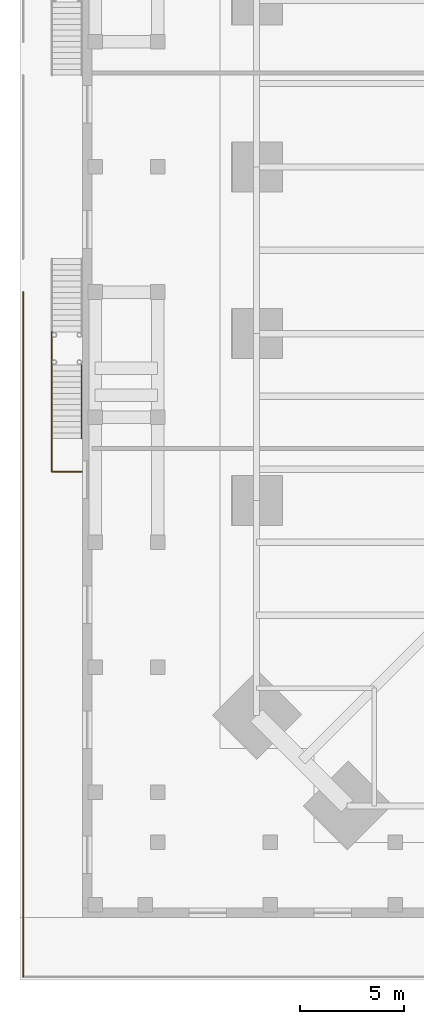
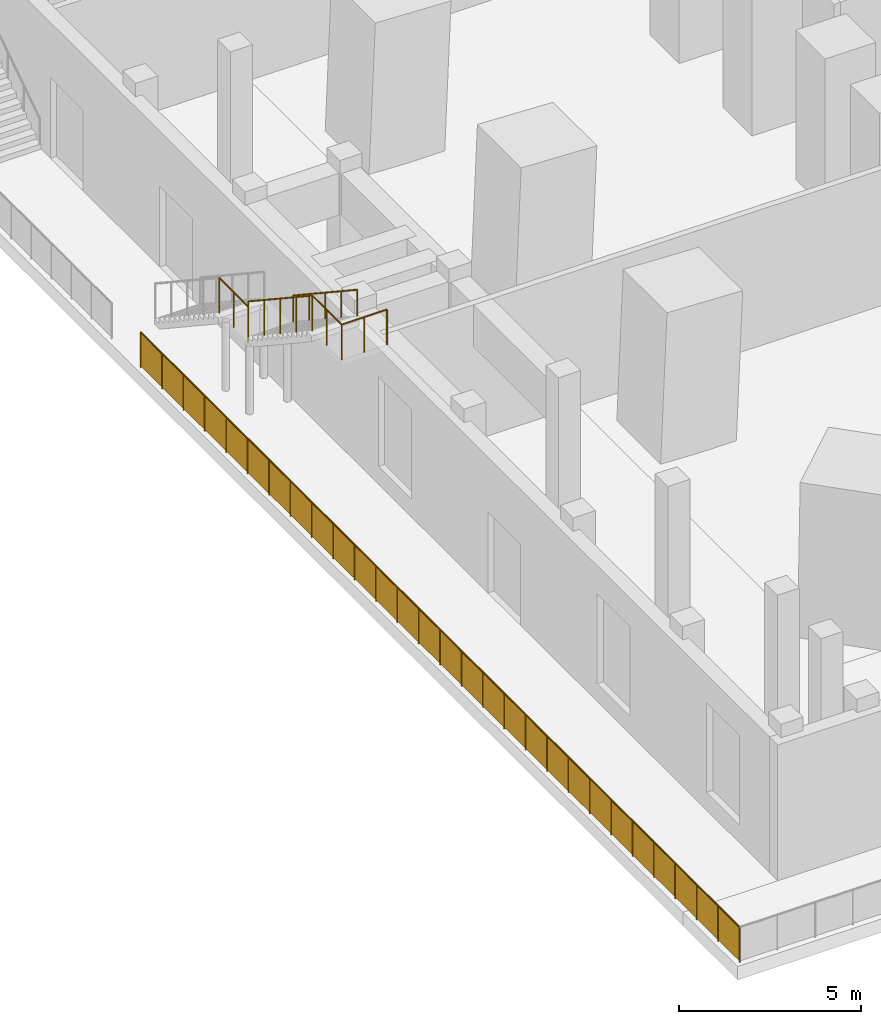
# One storey, part 17 of 22: 5 railings.
"""IFC4 building model written with IfcOpenShell, lengths in metres."""

from ifc_helpers import new_model, si_unit, direction, frame, origin, origin_2d, place, context, subcontext, project, spatial, rectangle, circle, extrude, material, type_object, element, save


model = new_model("IFC4")

# Units and contexts
model_context = context("Model", 3, precision=1e-05, world=origin(), true_north=direction((0.0, 1.0)))
body_context = subcontext(model_context, "Body", "Model", "MODEL_VIEW")
ifc_project = project(units=[si_unit("LENGTHUNIT", "METRE"), si_unit("AREAUNIT", "SQUARE_METRE"), si_unit("VOLUMEUNIT", "CUBIC_METRE"), si_unit("PLANEANGLEUNIT", "RADIAN"), si_unit("MASSUNIT", "GRAM", prefix="KILO")], contexts=[model_context])

# Site, building, storey
site_placement = place(None, origin())
site = spatial("IfcSite", under=ifc_project, at=site_placement, CompositionType="ELEMENT")
building_placement = place(site_placement, origin())
building = spatial("IfcBuilding", under=site, at=building_placement, Name="Peilmerk Tower", CompositionType="ELEMENT")
storey_placement = place(building_placement, frame((0.0, 0.0, 6.0)))
storey = spatial("IfcBuildingStorey", under=building, at=storey_placement, Name="L01", CompositionType="ELEMENT", Elevation=6.0)

# Railings
ifc_material_1 = material(Name="Steel flat bar balustrade", Category="steel")
railing_type_1 = type_object("IfcRailingType", Name="GR1 1200 stair guard", PredefinedType="GUARDRAIL", material=ifc_material_1)
railing_1_placement = place(storey_placement, frame((-40.469970703125, -9.510009765625, 2.678466796875)))
element("IfcRailing", 1, at=railing_1_placement, inside=storey, type_object=railing_type_1, Name="Guard external stair 6 L01", PredefinedType="GUARDRAIL", context=body_context, shape_type="SweptSolid", body=[
    extrude(circle(Radius=0.02392578125, at=origin_2d()), frame((0.0, 0.0, 1.17578125), z_axis=(0.0, -0.834070780157, 0.551657442339), x_axis=(1.0, 0.0, 0.0)), (0.0, 0.0, 1.0), 4.208251953125),
    extrude(circle(Radius=0.02099609375, at=origin_2d()), origin(), (0.0, 0.0, 1.0), 1.15185546875),
    extrude(circle(Radius=0.02099609375, at=origin_2d()), frame((0.0, -0.87744140625, 0.580322265625)), (0.0, 0.0, 1.0), 1.15185546875),
    extrude(circle(Radius=0.02099609375, at=origin_2d()), frame((0.0, -1.7548828125, 1.16064453125)), (0.0, 0.0, 1.0), 1.15185546875),
    extrude(circle(Radius=0.02099609375, at=origin_2d()), frame((0.0, -2.632568359375, 1.7412109375)), (0.0, 0.0, 1.0), 1.15185546875),
    extrude(circle(Radius=0.02099609375, at=origin_2d()), frame((0.0, -3.510009765625, 2.321533203125)), (0.0, 0.0, 1.0), 1.15185546875),
])
railing_2_placement = place(storey_placement, frame((-40.469970703125, -9.510009765625, 2.5)))
element("IfcRailing", 2, at=railing_2_placement, inside=storey, type_object=railing_type_1, Name="Guard external stair 6 L01", PredefinedType="GUARDRAIL", context=body_context, shape_type="SweptSolid", body=[
    extrude(circle(Radius=0.02392578125, at=origin_2d()), frame((0.0, 0.0, 1.17578125), z_axis=(0.0, 1.0, 0.0), x_axis=(-1.0, 0.0, 0.0)), (0.0, 0.0, 1.0), 1.60009765625),
    extrude(circle(Radius=0.02099609375, at=origin_2d()), origin(), (0.0, 0.0, 1.0), 1.15185546875),
    extrude(circle(Radius=0.02099609375, at=origin_2d()), frame((0.0, 0.800048828125, 0.0)), (0.0, 0.0, 1.0), 1.15185546875),
    extrude(circle(Radius=0.02099609375, at=origin_2d()), frame((0.0, 1.60009765625, 0.0)), (0.0, 0.0, 1.0), 1.15185546875),
])
railing_3_placement = place(storey_placement, frame((-40.469970703125, -13.02001953125, 5.0)))
element("IfcRailing", 3, at=railing_3_placement, inside=storey, type_object=railing_type_1, Name="Guard external stair 6 L01", PredefinedType="GUARDRAIL", context=body_context, shape_type="SweptSolid", body=[
    extrude(circle(Radius=0.02392578125, at=origin_2d()), frame((0.0, 0.0, 1.17578125), z_axis=(0.0, -1.0, 0.0), x_axis=(1.0, 0.0, 0.0)), (0.0, 0.0, 1.0), 1.60009765625),
    extrude(circle(Radius=0.02392578125, at=origin_2d()), frame((0.0, -1.60009765625, 1.17578125), z_axis=(1.0, 0.0, 0.0), x_axis=(0.0, 1.0, 0.0)), (0.0, 0.0, 1.0), 1.43994140625),
    extrude(circle(Radius=0.02099609375, at=origin_2d()), origin(), (0.0, 0.0, 1.0), 1.15185546875),
    extrude(circle(Radius=0.02099609375, at=origin_2d()), frame((0.0, -0.800048828125, 0.0)), (0.0, 0.0, 1.0), 1.15185546875),
    extrude(circle(Radius=0.02099609375, at=origin_2d()), frame((0.0, -1.60009765625, 0.0)), (0.0, 0.0, 1.0), 1.15185546875),
    extrude(circle(Radius=0.02099609375, at=origin_2d()), frame((0.719970703125, -1.60009765625, 0.0)), (0.0, 0.0, 1.0), 1.15185546875),
    extrude(circle(Radius=0.02099609375, at=origin_2d()), frame((1.43994140625, -1.60009765625, 0.0)), (0.0, 0.0, 1.0), 1.15185546875),
])
ifc_material_2 = material(Name="Galvanised steel posts and top rail, laminated glass infill 16", Category="steel")
railing_type_2 = type_object("IfcRailingType", Name="GR2 1200 terrace balustrade", PredefinedType="BALUSTRADE", material=ifc_material_2)
railing_4_placement = place(storey_placement, frame((-41.85009765625, -38.85009765625, 0.0)))
element("IfcRailing", 4, at=railing_4_placement, inside=storey, type_object=railing_type_2, Name="Terrace balustrade L01", PredefinedType="BALUSTRADE", context=body_context, shape_type="SweptSolid", body=[
    extrude(circle(Radius=0.02392578125, at=origin_2d()), frame((0.0, 0.0, 1.17578125), z_axis=(0.0, 1.0, 0.0), x_axis=(-1.0, 0.0, 0.0)), (0.0, 0.0, 1.0), 32.85009765625),
    extrude(circle(Radius=0.02099609375, at=origin_2d()), origin(), (0.0, 0.0, 1.0), 1.15185546875),
    extrude(circle(Radius=0.02099609375, at=origin_2d()), frame((0.0, 1.17333984375, 0.0)), (0.0, 0.0, 1.0), 1.15185546875),
    extrude(circle(Radius=0.02099609375, at=origin_2d()), frame((0.0, 2.346435546875, 0.0)), (0.0, 0.0, 1.0), 1.15185546875),
    extrude(circle(Radius=0.02099609375, at=origin_2d()), frame((0.0, 3.51953125, 0.0)), (0.0, 0.0, 1.0), 1.15185546875),
    extrude(circle(Radius=0.02099609375, at=origin_2d()), frame((0.0, 4.69287109375, 0.0)), (0.0, 0.0, 1.0), 1.15185546875),
    extrude(circle(Radius=0.02099609375, at=origin_2d()), frame((0.0, 5.8662109375, 0.0)), (0.0, 0.0, 1.0), 1.15185546875),
    extrude(circle(Radius=0.02099609375, at=origin_2d()), frame((0.0, 7.039306640625, 0.0)), (0.0, 0.0, 1.0), 1.15185546875),
    extrude(circle(Radius=0.02099609375, at=origin_2d()), frame((0.0, 8.21240234375, 0.0)), (0.0, 0.0, 1.0), 1.15185546875),
    extrude(circle(Radius=0.02099609375, at=origin_2d()), frame((0.0, 9.3857421875, 0.0)), (0.0, 0.0, 1.0), 1.15185546875),
    extrude(circle(Radius=0.02099609375, at=origin_2d()), frame((0.0, 10.55908203125, 0.0)), (0.0, 0.0, 1.0), 1.15185546875),
    extrude(circle(Radius=0.02099609375, at=origin_2d()), frame((0.0, 11.732177734375, 0.0)), (0.0, 0.0, 1.0), 1.15185546875),
    extrude(circle(Radius=0.02099609375, at=origin_2d()), frame((0.0, 12.9052734375, 0.0)), (0.0, 0.0, 1.0), 1.15185546875),
    extrude(circle(Radius=0.02099609375, at=origin_2d()), frame((0.0, 14.07861328125, 0.0)), (0.0, 0.0, 1.0), 1.15185546875),
    extrude(circle(Radius=0.02099609375, at=origin_2d()), frame((0.0, 15.251953125, 0.0)), (0.0, 0.0, 1.0), 1.15185546875),
    extrude(circle(Radius=0.02099609375, at=origin_2d()), frame((0.0, 16.425048828125, 0.0)), (0.0, 0.0, 1.0), 1.15185546875),
    extrude(circle(Radius=0.02099609375, at=origin_2d()), frame((0.0, 17.59814453125, 0.0)), (0.0, 0.0, 1.0), 1.15185546875),
    extrude(circle(Radius=0.02099609375, at=origin_2d()), frame((0.0, 18.771484375, 0.0)), (0.0, 0.0, 1.0), 1.15185546875),
    extrude(circle(Radius=0.02099609375, at=origin_2d()), frame((0.0, 19.94482421875, 0.0)), (0.0, 0.0, 1.0), 1.15185546875),
    extrude(circle(Radius=0.02099609375, at=origin_2d()), frame((0.0, 21.117919921875, 0.0)), (0.0, 0.0, 1.0), 1.15185546875),
    extrude(circle(Radius=0.02099609375, at=origin_2d()), frame((0.0, 22.291015625, 0.0)), (0.0, 0.0, 1.0), 1.15185546875),
    extrude(circle(Radius=0.02099609375, at=origin_2d()), frame((0.0, 23.46435546875, 0.0)), (0.0, 0.0, 1.0), 1.15185546875),
    extrude(circle(Radius=0.02099609375, at=origin_2d()), frame((0.0, 24.6376953125, 0.0)), (0.0, 0.0, 1.0), 1.15185546875),
    extrude(circle(Radius=0.02099609375, at=origin_2d()), frame((0.0, 25.810791015625, 0.0)), (0.0, 0.0, 1.0), 1.15185546875),
    extrude(circle(Radius=0.02099609375, at=origin_2d()), frame((0.0, 26.98388671875, 0.0)), (0.0, 0.0, 1.0), 1.15185546875),
    extrude(circle(Radius=0.02099609375, at=origin_2d()), frame((0.0, 28.1572265625, 0.0)), (0.0, 0.0, 1.0), 1.15185546875),
    extrude(circle(Radius=0.02099609375, at=origin_2d()), frame((0.0, 29.33056640625, 0.0)), (0.0, 0.0, 1.0), 1.15185546875),
    extrude(circle(Radius=0.02099609375, at=origin_2d()), frame((0.0, 30.503662109375, 0.0)), (0.0, 0.0, 1.0), 1.15185546875),
    extrude(circle(Radius=0.02099609375, at=origin_2d()), frame((0.0, 31.6767578125, 0.0)), (0.0, 0.0, 1.0), 1.15185546875),
    extrude(circle(Radius=0.02099609375, at=origin_2d()), frame((0.0, 32.85009765625, 0.0)), (0.0, 0.0, 1.0), 1.15185546875),
    extrude(rectangle(XDim=1.13134765625, YDim=0.01611328125, at=origin_2d()), frame((0.0, 0.586669921875, 0.050048828125), z_axis=(0.0, 0.0, 1.0), x_axis=(0.0, 1.0, 0.0)), (0.0, 0.0, 1.0), 1.101806640625),
    extrude(rectangle(XDim=1.13134765625, YDim=0.01611328125, at=origin_2d()), frame((0.0, 1.759765625, 0.050048828125), z_axis=(0.0, 0.0, 1.0), x_axis=(0.0, 1.0, 0.0)), (0.0, 0.0, 1.0), 1.101806640625),
    extrude(rectangle(XDim=1.13134765625, YDim=0.01611328125, at=origin_2d()), frame((0.0, 2.93310546875, 0.050048828125), z_axis=(0.0, 0.0, 1.0), x_axis=(0.0, 1.0, 0.0)), (0.0, 0.0, 1.0), 1.101806640625),
    extrude(rectangle(XDim=1.13134765625, YDim=0.01611328125, at=origin_2d()), frame((0.0, 4.106201171875, 0.050048828125), z_axis=(0.0, 0.0, 1.0), x_axis=(0.0, 1.0, 0.0)), (0.0, 0.0, 1.0), 1.101806640625),
    extrude(rectangle(XDim=1.13134765625, YDim=0.01611328125, at=origin_2d()), frame((0.0, 5.279541015625, 0.050048828125), z_axis=(0.0, 0.0, 1.0), x_axis=(0.0, 1.0, 0.0)), (0.0, 0.0, 1.0), 1.101806640625),
    extrude(rectangle(XDim=1.13134765625, YDim=0.01611328125, at=origin_2d()), frame((0.0, 6.45263671875, 0.050048828125), z_axis=(0.0, 0.0, 1.0), x_axis=(0.0, 1.0, 0.0)), (0.0, 0.0, 1.0), 1.101806640625),
    extrude(rectangle(XDim=1.13134765625, YDim=0.01611328125, at=origin_2d()), frame((0.0, 7.6259765625, 0.050048828125), z_axis=(0.0, 0.0, 1.0), x_axis=(0.0, 1.0, 0.0)), (0.0, 0.0, 1.0), 1.101806640625),
    extrude(rectangle(XDim=1.13134765625, YDim=0.01611328125, at=origin_2d()), frame((0.0, 8.799072265625, 0.050048828125), z_axis=(0.0, 0.0, 1.0), x_axis=(0.0, 1.0, 0.0)), (0.0, 0.0, 1.0), 1.101806640625),
    extrude(rectangle(XDim=1.13134765625, YDim=0.01611328125, at=origin_2d()), frame((0.0, 9.972412109375, 0.050048828125), z_axis=(0.0, 0.0, 1.0), x_axis=(0.0, 1.0, 0.0)), (0.0, 0.0, 1.0), 1.101806640625),
    extrude(rectangle(XDim=1.13134765625, YDim=0.01611328125, at=origin_2d()), frame((0.0, 11.1455078125, 0.050048828125), z_axis=(0.0, 0.0, 1.0), x_axis=(0.0, 1.0, 0.0)), (0.0, 0.0, 1.0), 1.101806640625),
    extrude(rectangle(XDim=1.13134765625, YDim=0.01611328125, at=origin_2d()), frame((0.0, 12.31884765625, 0.050048828125), z_axis=(0.0, 0.0, 1.0), x_axis=(0.0, 1.0, 0.0)), (0.0, 0.0, 1.0), 1.101806640625),
    extrude(rectangle(XDim=1.13134765625, YDim=0.01611328125, at=origin_2d()), frame((0.0, 13.491943359375, 0.050048828125), z_axis=(0.0, 0.0, 1.0), x_axis=(0.0, 1.0, 0.0)), (0.0, 0.0, 1.0), 1.101806640625),
    extrude(rectangle(XDim=1.13134765625, YDim=0.01611328125, at=origin_2d()), frame((0.0, 14.665283203125, 0.050048828125), z_axis=(0.0, 0.0, 1.0), x_axis=(0.0, 1.0, 0.0)), (0.0, 0.0, 1.0), 1.101806640625),
    extrude(rectangle(XDim=1.13134765625, YDim=0.01611328125, at=origin_2d()), frame((0.0, 15.83837890625, 0.050048828125), z_axis=(0.0, 0.0, 1.0), x_axis=(0.0, 1.0, 0.0)), (0.0, 0.0, 1.0), 1.101806640625),
    extrude(rectangle(XDim=1.13134765625, YDim=0.01611328125, at=origin_2d()), frame((0.0, 17.01171875, 0.050048828125), z_axis=(0.0, 0.0, 1.0), x_axis=(0.0, 1.0, 0.0)), (0.0, 0.0, 1.0), 1.101806640625),
    extrude(rectangle(XDim=1.13134765625, YDim=0.01611328125, at=origin_2d()), frame((0.0, 18.184814453125, 0.050048828125), z_axis=(0.0, 0.0, 1.0), x_axis=(0.0, 1.0, 0.0)), (0.0, 0.0, 1.0), 1.101806640625),
    extrude(rectangle(XDim=1.13134765625, YDim=0.01611328125, at=origin_2d()), frame((0.0, 19.358154296875, 0.050048828125), z_axis=(0.0, 0.0, 1.0), x_axis=(0.0, 1.0, 0.0)), (0.0, 0.0, 1.0), 1.101806640625),
    extrude(rectangle(XDim=1.13134765625, YDim=0.01611328125, at=origin_2d()), frame((0.0, 20.53125, 0.050048828125), z_axis=(0.0, 0.0, 1.0), x_axis=(0.0, 1.0, 0.0)), (0.0, 0.0, 1.0), 1.101806640625),
    extrude(rectangle(XDim=1.13134765625, YDim=0.01611328125, at=origin_2d()), frame((0.0, 21.70458984375, 0.050048828125), z_axis=(0.0, 0.0, 1.0), x_axis=(0.0, 1.0, 0.0)), (0.0, 0.0, 1.0), 1.101806640625),
    extrude(rectangle(XDim=1.13134765625, YDim=0.01611328125, at=origin_2d()), frame((0.0, 22.877685546875, 0.050048828125), z_axis=(0.0, 0.0, 1.0), x_axis=(0.0, 1.0, 0.0)), (0.0, 0.0, 1.0), 1.101806640625),
    extrude(rectangle(XDim=1.13134765625, YDim=0.01611328125, at=origin_2d()), frame((0.0, 24.051025390625, 0.050048828125), z_axis=(0.0, 0.0, 1.0), x_axis=(0.0, 1.0, 0.0)), (0.0, 0.0, 1.0), 1.101806640625),
    extrude(rectangle(XDim=1.13134765625, YDim=0.01611328125, at=origin_2d()), frame((0.0, 25.22412109375, 0.050048828125), z_axis=(0.0, 0.0, 1.0), x_axis=(0.0, 1.0, 0.0)), (0.0, 0.0, 1.0), 1.101806640625),
    extrude(rectangle(XDim=1.13134765625, YDim=0.01611328125, at=origin_2d()), frame((0.0, 26.3974609375, 0.050048828125), z_axis=(0.0, 0.0, 1.0), x_axis=(0.0, 1.0, 0.0)), (0.0, 0.0, 1.0), 1.101806640625),
    extrude(rectangle(XDim=1.13134765625, YDim=0.01611328125, at=origin_2d()), frame((0.0, 27.570556640625, 0.050048828125), z_axis=(0.0, 0.0, 1.0), x_axis=(0.0, 1.0, 0.0)), (0.0, 0.0, 1.0), 1.101806640625),
    extrude(rectangle(XDim=1.13134765625, YDim=0.01611328125, at=origin_2d()), frame((0.0, 28.743896484375, 0.050048828125), z_axis=(0.0, 0.0, 1.0), x_axis=(0.0, 1.0, 0.0)), (0.0, 0.0, 1.0), 1.101806640625),
    extrude(rectangle(XDim=1.13134765625, YDim=0.01611328125, at=origin_2d()), frame((0.0, 29.9169921875, 0.050048828125), z_axis=(0.0, 0.0, 1.0), x_axis=(0.0, 1.0, 0.0)), (0.0, 0.0, 1.0), 1.101806640625),
    extrude(rectangle(XDim=1.13134765625, YDim=0.01611328125, at=origin_2d()), frame((0.0, 31.09033203125, 0.050048828125), z_axis=(0.0, 0.0, 1.0), x_axis=(0.0, 1.0, 0.0)), (0.0, 0.0, 1.0), 1.101806640625),
    extrude(rectangle(XDim=1.13134765625, YDim=0.01611328125, at=origin_2d()), frame((0.0, 32.263427734375, 0.050048828125), z_axis=(0.0, 0.0, 1.0), x_axis=(0.0, 1.0, 0.0)), (0.0, 0.0, 1.0), 1.101806640625),
])
ifc_material_3 = material(Name="Stainless steel tube", Category="steel")
railing_type_3 = type_object("IfcRailingType", Name="HR1 900 stair handrail", PredefinedType="HANDRAIL", material=ifc_material_3)
railing_5_placement = place(storey_placement, frame((-39.050048828125, -9.510009765625, 2.678466796875)))
element("IfcRailing", 5, at=railing_5_placement, inside=storey, type_object=railing_type_3, Name="Handrail external stair 6 L01", PredefinedType="HANDRAIL", context=body_context, shape_type="SweptSolid", body=[
    extrude(circle(Radius=0.02392578125, at=origin_2d()), frame((0.0, 0.0, 0.8759765625), z_axis=(0.0, -0.834070780157, 0.551657442339), x_axis=(1.0, 0.0, 0.0)), (0.0, 0.0, 1.0), 4.208251953125),
    extrude(circle(Radius=0.02099609375, at=origin_2d()), origin(), (0.0, 0.0, 1.0), 0.851806640625),
    extrude(circle(Radius=0.02099609375, at=origin_2d()), frame((0.0, -0.87744140625, 0.580322265625)), (0.0, 0.0, 1.0), 0.851806640625),
    extrude(circle(Radius=0.02099609375, at=origin_2d()), frame((0.0, -1.7548828125, 1.16064453125)), (0.0, 0.0, 1.0), 0.851806640625),
    extrude(circle(Radius=0.02099609375, at=origin_2d()), frame((0.0, -2.632568359375, 1.7412109375)), (0.0, 0.0, 1.0), 0.851806640625),
    extrude(circle(Radius=0.02099609375, at=origin_2d()), frame((0.0, -3.510009765625, 2.321533203125)), (0.0, 0.0, 1.0), 0.851806640625),
])

save(model, "model.ifc")
